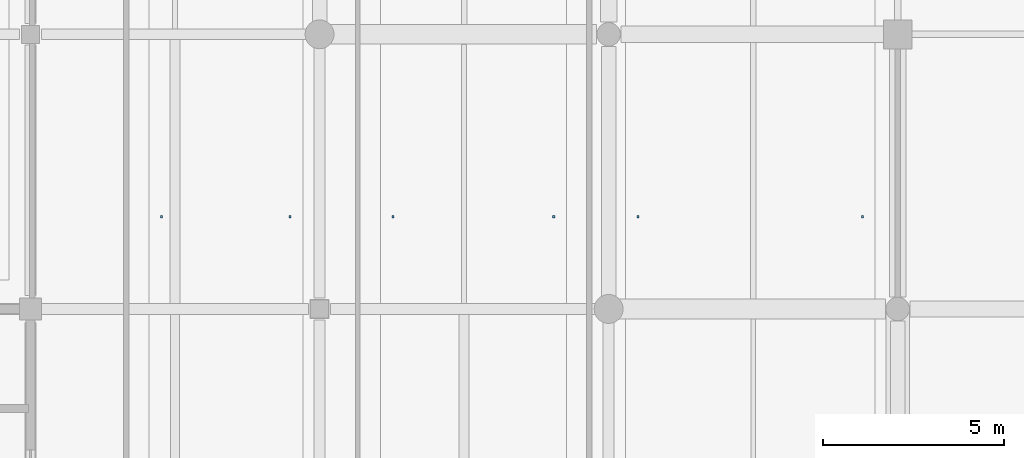
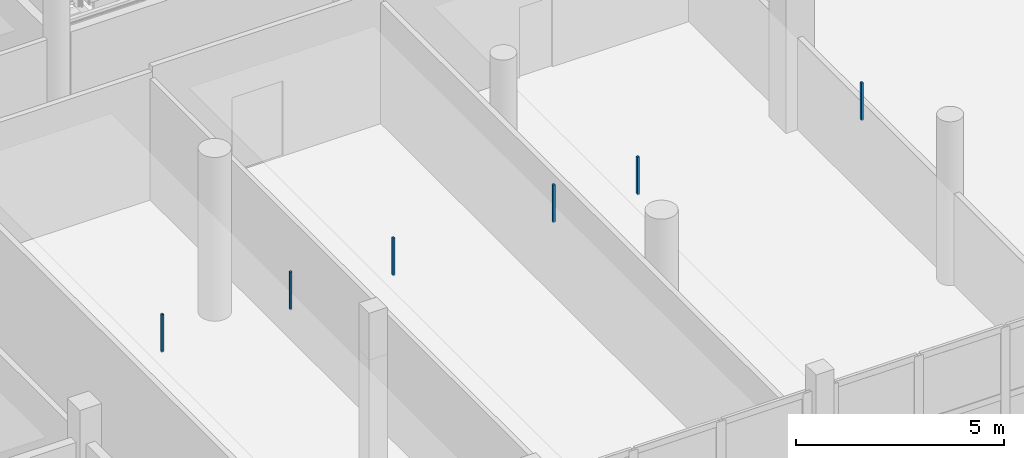
# One storey, part 117 of 147: 6 discrete accessories.
"""IFC4 building model written with IfcOpenShell, lengths in metres."""

from ifc_helpers import new_model, si_unit, direction, frame, origin, origin_2d, place, context, subcontext, project, spatial, rectangle, extrude, material, type_object, element, save


model = new_model("IFC4")

# Units and contexts
model_context = context("Model", 3, precision=1e-05, world=origin(), true_north=direction((0.0, 1.0)))
body_context = subcontext(model_context, "Body", "Model", "MODEL_VIEW")
ifc_project = project(units=[si_unit("LENGTHUNIT", "METRE"), si_unit("AREAUNIT", "SQUARE_METRE"), si_unit("VOLUMEUNIT", "CUBIC_METRE"), si_unit("PLANEANGLEUNIT", "RADIAN"), si_unit("MASSUNIT", "GRAM", prefix="KILO")], contexts=[model_context])

# Site, building, storey
site_placement = place(None, origin())
site = spatial("IfcSite", under=ifc_project, at=site_placement, CompositionType="ELEMENT")
building_placement = place(site_placement, origin())
building = spatial("IfcBuilding", under=site, at=building_placement, Name="Khelvaren Railside Concert Hall", CompositionType="ELEMENT")
storey_placement = place(building_placement, frame((0.0, 0.0, 5.39990234375)))
storey = spatial("IfcBuildingStorey", under=building, at=storey_placement, Name="L01", CompositionType="ELEMENT", Elevation=5.39990234375)

# Discrete accessories
ifc_material = material(Name="Galvanised steel acoustic ceiling hanger rod", Category="steel")
discrete_accessory_type = type_object("IfcDiscreteAccessoryType", Name="BRK62", PredefinedType="BRACKET", material=ifc_material)
for number, where, z_axis, x_axis, name in (
    (1, (139.6298828125, 93.75, 3.429931640625), (0.0, 0.0, 1.0), (1.0, 0.0, 0.0), "Acoustic Ceiling Suspension Bracket 137-1"),
    (2, (143.18505859375, 93.75, 3.429931640625), (0.0, 0.0, 1.0), (1.0, 0.0, 0.0), "Acoustic Ceiling Suspension Bracket 137-2"),
    (3, (146.034912109375, 93.75, 3.429931640625), (0.0, 0.0, 1.0), (1.0, 0.0, 0.0), "Acoustic Ceiling Suspension Bracket 138-1"),
    (4, (150.47998046875, 93.75, 3.429931640625), (0.0, 0.0, 1.0), (1.0, 0.0, 0.0), "Acoustic Ceiling Suspension Bracket 138-2"),
    (5, (152.81494140625, 93.75, 3.429931640625), (0.0, 0.0, 1.0), (1.0, 0.0, 0.0), "Acoustic Ceiling Suspension Bracket 139-1"),
    (6, (159.02001953125, 93.75, 3.429931640625), (0.0, 0.0, 1.0), (1.0, 0.0, 0.0), "Acoustic Ceiling Suspension Bracket 139-2"),
):
    element("IfcDiscreteAccessory", number, at=place(storey_placement, frame(where, z_axis=z_axis, x_axis=x_axis)), inside=storey, type_object=discrete_accessory_type, Name=name, PredefinedType="BRACKET", context=body_context, shape_type="SweptSolid", body=[
        extrude(rectangle(XDim=0.06005859375, YDim=0.06005859375, at=origin_2d()), origin(), (0.0, 0.0, 1.0), 1.10009765625),
    ])

save(model, "model.ifc")
